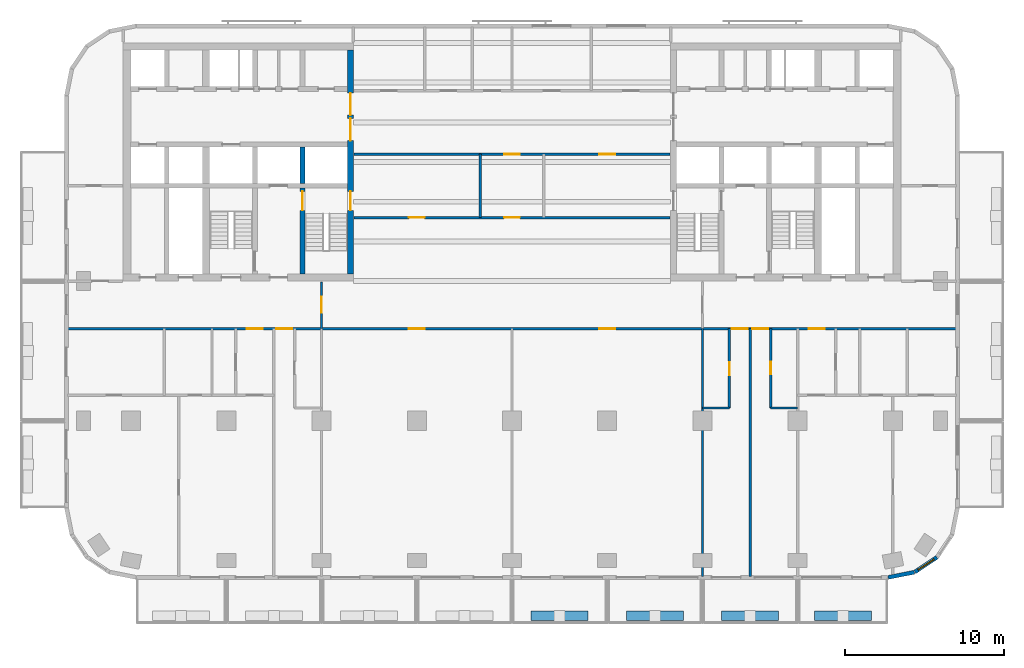
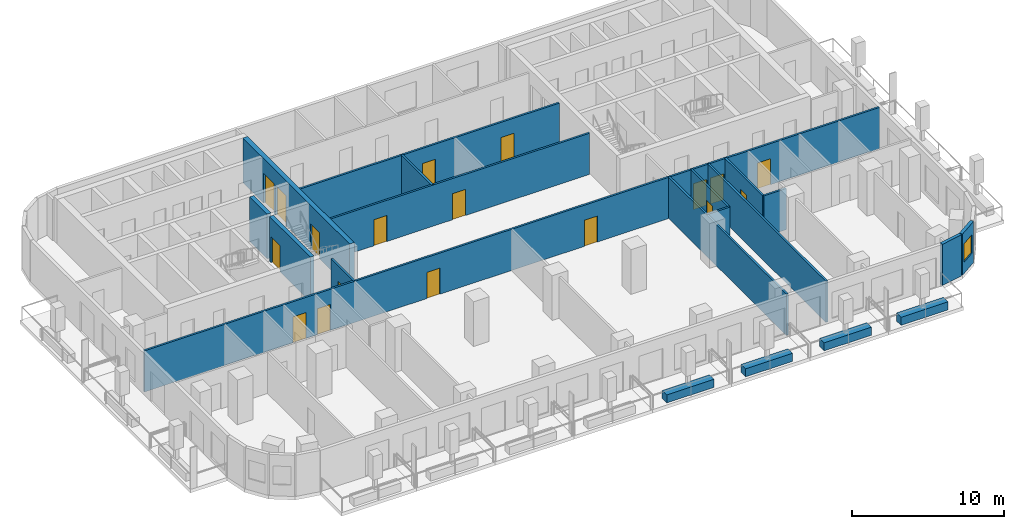
# One storey, part 4 of 11: 20 walls, 18 doors, 1 window, 19 openings.
"""IFC4 building model written with IfcOpenShell, lengths in metres."""

from ifc_helpers import new_model, si_unit, direction, frame, frame_2d, origin, place, context, subcontext, project, spatial, rectangle, extrude, material, layer, layer_set, type_object, element, fill, save


model = new_model("IFC4")

# Units and contexts
model_context = context("Model", 3, precision=1e-05, world=origin(), true_north=direction((0.0, 1.0)))
body_context = subcontext(model_context, "Body", "Model", "MODEL_VIEW")
ifc_project = project(units=[si_unit("LENGTHUNIT", "METRE"), si_unit("AREAUNIT", "SQUARE_METRE"), si_unit("VOLUMEUNIT", "CUBIC_METRE"), si_unit("PLANEANGLEUNIT", "RADIAN"), si_unit("MASSUNIT", "GRAM", prefix="KILO")], contexts=[model_context])

# Site, building, storey
site_placement = place(None, origin())
site = spatial("IfcSite", under=ifc_project, at=site_placement, CompositionType="ELEMENT")
building_placement = place(site_placement, origin())
building = spatial("IfcBuilding", under=site, at=building_placement, Name="Torana Hotel and Residences", CompositionType="ELEMENT")
storey_placement = place(building_placement, frame((0.0, 0.0, 123.60009765625)))
storey = spatial("IfcBuildingStorey", under=building, at=storey_placement, Name="L31", CompositionType="ELEMENT", Elevation=123.60009765625)

# Wall
ifc_material_1 = material(Name="Concrete C70/85", Category="concrete")
ifc_layer_1 = layer(ifc_material_1, 0.300048828125)
ifc_layer_set_1 = layer_set([ifc_layer_1], Name="CORE WALL 300 C70/85")
wall_type_1 = type_object("IfcWallType", Name="CORE WALL 300 C70/85", PredefinedType="SHEAR", material=ifc_layer_set_1)
wall_1_placement = place(storey_placement, frame((-13.199951171875, -8.85009765625, 0.0), z_axis=(0.0, 0.0, 1.0), x_axis=(0.0, 1.0, 0.0)))
element("IfcWall", 1, at=wall_1_placement, inside=storey, type_object=wall_type_1, Name="Core wall W x3.05-S", PredefinedType="SHEAR", context=body_context, shape_type="SweptSolid", body=[
    extrude(rectangle(XDim=2.300048828125, YDim=0.300048828125, at=frame_2d((1.14990234375, 0.0))), origin(), (0.0, 0.0, 1.0), 3.599853515625),
])

# Wall, opening, door
wall_2_placement = place(storey_placement, frame((-13.199951171875, -14.550048828125, 0.0), z_axis=(0.0, 0.0, 1.0), x_axis=(0.0, 1.0, 0.0)))
wall_2 = element("IfcWall", 2, at=wall_2_placement, inside=storey, type_object=wall_type_1, Name="Core wall W x3.05-band", PredefinedType="SHEAR", context=body_context, shape_type="SweptSolid", body=[
    extrude(rectangle(XDim=5.400146484375, YDim=0.300048828125, at=frame_2d((2.7001953125, 0.0))), origin(), (0.0, 0.0, 1.0), 3.599853515625),
])
opening_1_placement = place(wall_2_placement, frame((4.0, 0.0, 0.0)))
opening_1 = element("IfcOpeningElement", 3, at=opening_1_placement, cuts=wall_2, Name="Opening L31-14", PredefinedType="OPENING", context=body_context, shape_type="SweptSolid", body=[
    extrude(rectangle(XDim=1.199951171875, YDim=2.10009765625, at=frame_2d((0.60009765625, 1.050048828125))), frame((0.0, 0.159912109375, 0.0), z_axis=(0.0, -1.0, 0.0), x_axis=(1.0, 0.0, 0.0)), (0.0, 0.0, 1.0), 0.320068359375),
])
ifc_material_2 = material(Name="Steel S235", Category="steel")
door_type_1 = type_object("IfcDoorType", Name="STAIR FIRE DOOR D3 1200x2100", OperationType="SINGLE_SWING_LEFT", PredefinedType="DOOR", material=ifc_material_2)
door_1_placement = place(opening_1_placement, frame((0.60009765625, 0.0, 0.0), z_axis=(0.0, 0.0, 1.0), x_axis=(-1.0, 0.0, 0.0)))
door_1 = element("IfcDoor", 4, at=door_1_placement, inside=storey, type_object=door_type_1, Name="Stair-A-lobby door L31", OperationType="SINGLE_SWING_RIGHT", OverallHeight=2.10009765625, OverallWidth=1.199951171875, PredefinedType="DOOR", context=body_context, shape_type="SweptSolid", body=[
    extrude(rectangle(XDim=1.199951171875, YDim=2.10009765625, at=frame_2d((0.0, 1.050048828125))), frame((0.0, -0.02490234375, 0.0), z_axis=(0.0, 1.0, 0.0), x_axis=(-1.0, 0.0, 0.0)), (0.0, 0.0, 1.0), 0.050048828125),
])
fill(opening_1, door_1)

# Wall, openings, doors
ifc_material_3 = material(Name="Concrete C70/85", Category="concrete")
ifc_layer_2 = layer(ifc_material_3, 0.35009765625)
ifc_layer_set_2 = layer_set([ifc_layer_2], Name="CORE WALL 350 C70/85")
wall_type_2 = type_object("IfcWallType", Name="CORE WALL 350 C70/85", PredefinedType="SHEAR", material=ifc_layer_set_2)
wall_3_placement = place(storey_placement, frame((-10.175048828125, -14.550048828125, 0.0), z_axis=(0.0, 0.0, 1.0), x_axis=(0.0, 1.0, 0.0)))
wall_3 = element("IfcWall", 5, at=wall_3_placement, inside=storey, type_object=wall_type_2, Name="Core wall W arch", PredefinedType="SHEAR", context=body_context, shape_type="SweptSolid", body=[
    extrude(rectangle(XDim=14.10009765625, YDim=0.35009765625, at=frame_2d((7.050048828125, 0.0))), origin(), (0.0, 0.0, 1.0), 3.599853515625),
])
opening_2_placement = place(wall_3_placement, frame((8.39990234375, 0.0, 0.0)))
opening_2 = element("IfcOpeningElement", 6, at=opening_2_placement, cuts=wall_3, Name="Opening L31-01", PredefinedType="OPENING", context=body_context, shape_type="SweptSolid", body=[
    extrude(rectangle(XDim=1.39990234375, YDim=2.39990234375, at=frame_2d((0.699951171875, 1.199951171875))), frame((0.0, 0.18505859375, 0.0), z_axis=(0.0, -1.0, 0.0), x_axis=(1.0, 0.0, 0.0)), (0.0, 0.0, 1.0), 0.3701171875),
])
opening_3_placement = place(wall_3_placement, frame((10.0, 0.0, 0.0)))
opening_3 = element("IfcOpeningElement", 7, at=opening_3_placement, cuts=wall_3, Name="Opening L31-02", PredefinedType="OPENING", context=body_context, shape_type="SweptSolid", body=[
    extrude(rectangle(XDim=1.39990234375, YDim=2.39990234375, at=frame_2d((0.699951171875, 1.199951171875))), frame((0.0, 0.18505859375, 0.0), z_axis=(0.0, -1.0, 0.0), x_axis=(1.0, 0.0, 0.0)), (0.0, 0.0, 1.0), 0.3701171875),
])
opening_4_placement = place(wall_3_placement, frame((4.0, 0.0, 0.0)))
opening_4 = element("IfcOpeningElement", 8, at=opening_4_placement, cuts=wall_3, Name="Opening L31-03", PredefinedType="OPENING", context=body_context, shape_type="SweptSolid", body=[
    extrude(rectangle(XDim=1.199951171875, YDim=2.10009765625, at=frame_2d((0.60009765625, 1.050048828125))), frame((0.0, 0.18505859375, 0.0), z_axis=(0.0, -1.0, 0.0), x_axis=(1.0, 0.0, 0.0)), (0.0, 0.0, 1.0), 0.3701171875),
])
ifc_material_4 = material(Name="Steel S235", Category="steel")
door_type_2 = type_object("IfcDoorType", Name="LOBBY FIRE DOOR D4 1400x2400", OperationType="DOUBLE_DOOR_SINGLE_SWING", PredefinedType="DOOR", material=ifc_material_4)
door_2_placement = place(opening_2_placement, origin())
door_2 = element("IfcDoor", 9, at=door_2_placement, inside=storey, type_object=door_type_2, Name="Lobby-1 door L31", OperationType="DOUBLE_DOOR_SINGLE_SWING", OverallHeight=2.39990234375, OverallWidth=1.39990234375, PredefinedType="DOOR", context=body_context, shape_type="SweptSolid", body=[
    extrude(rectangle(XDim=1.39990234375, YDim=2.39990234375, at=frame_2d((0.699951171875, 1.199951171875))), frame((0.0, 0.02490234375, 0.0), z_axis=(0.0, -1.0, 0.0), x_axis=(1.0, 0.0, 0.0)), (0.0, 0.0, 1.0), 0.050048828125),
])
fill(opening_2, door_2)
door_3_placement = place(opening_3_placement, origin())
door_3 = element("IfcDoor", 10, at=door_3_placement, inside=storey, type_object=door_type_2, Name="Lobby-2 door L31", OperationType="DOUBLE_DOOR_SINGLE_SWING", OverallHeight=2.39990234375, OverallWidth=1.39990234375, PredefinedType="DOOR", context=body_context, shape_type="SweptSolid", body=[
    extrude(rectangle(XDim=1.39990234375, YDim=2.39990234375, at=frame_2d((0.699951171875, 1.199951171875))), frame((0.0, 0.02490234375, 0.0), z_axis=(0.0, -1.0, 0.0), x_axis=(1.0, 0.0, 0.0)), (0.0, 0.0, 1.0), 0.050048828125),
])
fill(opening_3, door_3)
door_4_placement = place(opening_4_placement, origin())
door_4 = element("IfcDoor", 11, at=door_4_placement, inside=storey, type_object=door_type_1, Name="Stair-A door L31", OperationType="SINGLE_SWING_LEFT", OverallHeight=2.10009765625, OverallWidth=1.199951171875, PredefinedType="DOOR", context=body_context, shape_type="SweptSolid", body=[
    extrude(rectangle(XDim=1.199951171875, YDim=2.10009765625, at=frame_2d((0.60009765625, 1.050048828125))), frame((0.0, 0.02490234375, 0.0), z_axis=(0.0, -1.0, 0.0), x_axis=(1.0, 0.0, 0.0)), (0.0, 0.0, 1.0), 0.050048828125),
])
fill(opening_4, door_4)

# Wall
ifc_material_5 = material(Name="Black aluminium composite panel", Category="aluminium")
ifc_layer_3 = layer(ifc_material_5, 0.00390625, Name="Cladding", Category="cladding")
ifc_material_6 = material(Name="Ventilated air cavity")
ifc_layer_4 = layer(ifc_material_6, 0.0400390625, Name="Ventilated cavity", Category="cavity")
ifc_material_7 = material(Name="Mineral wool insulation")
ifc_layer_5 = layer(ifc_material_7, 0.090087890625, Name="Insulation", Category="insulation")
ifc_material_8 = material(Name="Steel S280GD", Category="steel")
ifc_layer_6 = layer(ifc_material_8, 0.092041015625, Name="Steel stud frame", Category="structure")
ifc_material_9 = material(Name="Fire rated plasterboard")
ifc_layer_7 = layer(ifc_material_9, 0.011962890625, Name="Inner board", Category="finish")
ifc_layer_8 = layer(ifc_material_9, 0.011962890625, Name="Second board", Category="finish")
ifc_layer_set_3 = layer_set([ifc_layer_3, ifc_layer_4, ifc_layer_5, ifc_layer_6, ifc_layer_7, ifc_layer_8], Name="EW1 EXTERNAL WALL BLACK METAL CLAD 250")
wall_type_3 = type_object("IfcWallType", Name="EW1 EXTERNAL WALL BLACK METAL CLAD 250", PredefinedType="SOLIDWALL", material=ifc_layer_set_3)
wall_4_placement = place(storey_placement, frame((23.69970703125, -33.672607421875, 0.0), z_axis=(0.0, 0.0, 1.0), x_axis=(0.980775640221, 0.19513878023, 0.0)))
element("IfcWall", 12, at=wall_4_placement, inside=storey, type_object=wall_type_3, Name="External wall L31 e0.15", PredefinedType="SOLIDWALL", context=body_context, shape_type="SweptSolid", body=[
    extrude(rectangle(XDim=1.681396484375, YDim=0.25, at=frame_2d((0.8408203125, 0.0))), origin(), (0.0, 0.0, 1.0), 3.31982421875),
])

# Wall, opening, window
wall_5_placement = place(storey_placement, frame((25.39404296875, -33.325927734375, 0.0), z_axis=(0.0, 0.0, 1.0), x_axis=(0.831482937015, 0.55555029066, 0.0)))
wall_5 = element("IfcWall", 13, at=wall_5_placement, inside=storey, type_object=wall_type_3, Name="External wall L31 e0.16", PredefinedType="SOLIDWALL", context=body_context, shape_type="SweptSolid", body=[
    extrude(rectangle(XDim=1.65625, YDim=0.25, at=frame_2d((0.828125, 0.0))), origin(), (0.0, 0.0, 1.0), 3.31982421875),
])
opening_5_placement = place(wall_5_placement, frame((0.228271484375, 0.0, 0.89990234375)))
opening_5 = element("IfcOpeningElement", 14, at=opening_5_placement, cuts=wall_5, Name="Opening W5", PredefinedType="OPENING", context=body_context, shape_type="SweptSolid", body=[
    extrude(rectangle(XDim=1.199951171875, YDim=1.5, at=frame_2d((0.60009765625, 0.75))), frame((0.0, 0.135009765625, 0.0), z_axis=(0.0, -1.0, 0.0), x_axis=(1.0, 0.0, 0.0)), (0.0, 0.0, 1.0), 0.27001953125),
])
ifc_material_10 = material(Name="Dark glass in black aluminium frame", Category="aluminium")
window_type = type_object("IfcWindowType", Name="W5 CORNER FACET WINDOW 1200x1500", PartitioningType="SINGLE_PANEL", PredefinedType="WINDOW", material=ifc_material_10)
window_placement = place(opening_5_placement, origin())
window = element("IfcWindow", 15, at=window_placement, inside=storey, type_object=window_type, Name="Window L31 e0.16", OverallHeight=1.5, OverallWidth=1.199951171875, PartitioningType="SINGLE_PANEL", PredefinedType="WINDOW", context=body_context, shape_type="SweptSolid", body=[
    extrude(rectangle(XDim=1.199951171875, YDim=1.5, at=frame_2d((0.60009765625, 0.75))), frame((0.0, 0.030029296875, 0.0), z_axis=(0.0, -1.0, 0.0), x_axis=(1.0, 0.0, 0.0)), (0.0, 0.0, 1.0), 0.06005859375),
])
fill(opening_5, window)

# Wall
ifc_material_11 = material(Name="Gypsum plaster")
ifc_layer_9 = layer(ifc_material_11, 0.014892578125, Name="Plaster", Category="finish")
ifc_material_12 = material(Name="Concrete blockwork", Category="masonry")
ifc_layer_10 = layer(ifc_material_12, 0.1201171875, Name="Blockwork", Category="structure")
ifc_layer_11 = layer(ifc_material_11, 0.014892578125, Name="Plaster", Category="finish")
ifc_layer_set_4 = layer_set([ifc_layer_9, ifc_layer_10, ifc_layer_11], Name="FIRE PARTITION 150 BLOCKWORK")
wall_type_4 = type_object("IfcWallType", Name="FIRE PARTITION 150 BLOCKWORK", PredefinedType="PARTITIONING", material=ifc_layer_set_4)
wall_6_placement = place(storey_placement, frame((-2.0, -11.0, 0.0), z_axis=(0.0, 0.0, 1.0), x_axis=(0.0, 1.0, 0.0)))
element("IfcWall", 16, at=wall_6_placement, inside=storey, type_object=wall_type_4, Name="Partition L31", PredefinedType="PARTITIONING", context=body_context, shape_type="SweptSolid", body=[
    extrude(rectangle(XDim=4.0, YDim=0.14990234375, at=frame_2d((2.0, 0.0))), origin(), (0.0, 0.0, 1.0), 3.31982421875),
])

# Wall, opening, door
wall_7_placement = place(storey_placement, frame((-12.0, -18.0, 0.0), z_axis=(0.0, 0.0, 1.0), x_axis=(0.0, 1.0, 0.0)))
wall_7 = element("IfcWall", 17, at=wall_7_placement, inside=storey, type_object=wall_type_4, Name="Partition L31", PredefinedType="PARTITIONING", context=body_context, shape_type="SweptSolid", body=[
    extrude(rectangle(XDim=2.949951171875, YDim=0.14990234375, at=frame_2d((1.47509765625, 0.0))), origin(), (0.0, 0.0, 1.0), 3.31982421875),
])
opening_6_placement = place(wall_7_placement, frame((1.0, 0.0, 0.0)))
opening_6 = element("IfcOpeningElement", 18, at=opening_6_placement, cuts=wall_7, Name="Opening L31-31", PredefinedType="OPENING", context=body_context, shape_type="SweptSolid", body=[
    extrude(rectangle(XDim=1.0, YDim=2.10009765625, at=frame_2d((0.5, 1.050048828125))), frame((0.0, 0.0849609375, 0.0), z_axis=(0.0, -1.0, 0.0), x_axis=(1.0, 0.0, 0.0)), (0.0, 0.0, 1.0), 0.169921875),
])
ifc_material_13 = material(Name="Steel S235", Category="steel")
door_type_3 = type_object("IfcDoorType", Name="ENTRY FIRE DOOR D6 1000x2100", OperationType="SINGLE_SWING_LEFT", PredefinedType="DOOR", material=ifc_material_13)
door_5_placement = place(opening_6_placement, origin())
door_5 = element("IfcDoor", 19, at=door_5_placement, inside=storey, type_object=door_type_3, Name="Door L31", OperationType="SINGLE_SWING_RIGHT", OverallHeight=2.10009765625, OverallWidth=1.0, PredefinedType="DOOR", context=body_context, shape_type="SweptSolid", body=[
    extrude(rectangle(XDim=1.0, YDim=2.10009765625, at=frame_2d((0.5, 1.050048828125))), frame((0.0, 0.02490234375, 0.0), z_axis=(0.0, -1.0, 0.0), x_axis=(1.0, 0.0, 0.0)), (0.0, 0.0, 1.0), 0.050048828125),
])
fill(opening_6, door_5)

# Wall, openings, doors
wall_8_placement = place(storey_placement, frame((-28.02001953125, -18.0, 0.0), z_axis=(0.0, 0.0, 1.0), x_axis=(1.0, 0.0, 0.0)))
wall_8 = element("IfcWall", 20, at=wall_8_placement, inside=storey, type_object=wall_type_4, Name="Partition L31", PredefinedType="PARTITIONING", context=body_context, shape_type="SweptSolid", body=[
    extrude(rectangle(XDim=56.0400390625, YDim=0.14990234375, at=frame_2d((28.02001953125, 0.0))), origin(), (0.0, 0.0, 1.0), 3.31982421875),
])
opening_7_placement = place(wall_8_placement, frame((13.169921875, 0.0, 0.0)))
opening_7 = element("IfcOpeningElement", 21, at=opening_7_placement, cuts=wall_8, Name="Opening L31-32", PredefinedType="OPENING", context=body_context, shape_type="SweptSolid", body=[
    extrude(rectangle(XDim=1.0, YDim=2.10009765625, at=frame_2d((0.5, 1.050048828125))), frame((0.0, 0.0849609375, 0.0), z_axis=(0.0, -1.0, 0.0), x_axis=(1.0, 0.0, 0.0)), (0.0, 0.0, 1.0), 0.169921875),
])
opening_8_placement = place(wall_8_placement, frame((11.320068359375, 0.0, 0.0)))
opening_8 = element("IfcOpeningElement", 22, at=opening_8_placement, cuts=wall_8, Name="Opening L31-33", PredefinedType="OPENING", context=body_context, shape_type="SweptSolid", body=[
    extrude(rectangle(XDim=1.0, YDim=2.10009765625, at=frame_2d((0.5, 1.050048828125))), frame((0.0, 0.0849609375, 0.0), z_axis=(0.0, -1.0, 0.0), x_axis=(1.0, 0.0, 0.0)), (0.0, 0.0, 1.0), 0.169921875),
])
opening_9_placement = place(wall_8_placement, frame((41.8701171875, 0.0, 0.0)))
opening_9 = element("IfcOpeningElement", 23, at=opening_9_placement, cuts=wall_8, Name="Opening L31-36", PredefinedType="OPENING", context=body_context, shape_type="SweptSolid", body=[
    extrude(rectangle(XDim=1.0, YDim=2.10009765625, at=frame_2d((0.5, 1.050048828125))), frame((0.0, 0.0849609375, 0.0), z_axis=(0.0, -1.0, 0.0), x_axis=(1.0, 0.0, 0.0)), (0.0, 0.0, 1.0), 0.169921875),
])
opening_10_placement = place(wall_8_placement, frame((43.169921875, 0.0, 0.0)))
opening_10 = element("IfcOpeningElement", 24, at=opening_10_placement, cuts=wall_8, Name="Opening L31-37", PredefinedType="OPENING", context=body_context, shape_type="SweptSolid", body=[
    extrude(rectangle(XDim=1.0, YDim=2.10009765625, at=frame_2d((0.5, 1.050048828125))), frame((0.0, 0.0849609375, 0.0), z_axis=(0.0, -1.0, 0.0), x_axis=(1.0, 0.0, 0.0)), (0.0, 0.0, 1.0), 0.169921875),
])
opening_11_placement = place(wall_8_placement, frame((46.719970703125, 0.0, 0.0)))
opening_11 = element("IfcOpeningElement", 25, at=opening_11_placement, cuts=wall_8, Name="Opening L31-38", PredefinedType="OPENING", context=body_context, shape_type="SweptSolid", body=[
    extrude(rectangle(XDim=1.0, YDim=2.10009765625, at=frame_2d((0.5, 1.050048828125))), frame((0.0, 0.0849609375, 0.0), z_axis=(0.0, -1.0, 0.0), x_axis=(1.0, 0.0, 0.0)), (0.0, 0.0, 1.0), 0.169921875),
])
opening_12_placement = place(wall_8_placement, frame((21.52001953125, 0.0, 0.0)))
opening_12 = element("IfcOpeningElement", 26, at=opening_12_placement, cuts=wall_8, Name="Opening L31-41", PredefinedType="OPENING", context=body_context, shape_type="SweptSolid", body=[
    extrude(rectangle(XDim=1.0, YDim=2.10009765625, at=frame_2d((0.5, 1.050048828125))), frame((0.0, 0.0849609375, 0.0), z_axis=(0.0, -1.0, 0.0), x_axis=(1.0, 0.0, 0.0)), (0.0, 0.0, 1.0), 0.169921875),
])
opening_13_placement = place(wall_8_placement, frame((33.52001953125, 0.0, 0.0)))
opening_13 = element("IfcOpeningElement", 27, at=opening_13_placement, cuts=wall_8, Name="Opening L31-42", PredefinedType="OPENING", context=body_context, shape_type="SweptSolid", body=[
    extrude(rectangle(XDim=1.0, YDim=2.10009765625, at=frame_2d((0.5, 1.050048828125))), frame((0.0, 0.0849609375, 0.0), z_axis=(0.0, -1.0, 0.0), x_axis=(1.0, 0.0, 0.0)), (0.0, 0.0, 1.0), 0.169921875),
])
door_6_placement = place(opening_7_placement, frame((0.5, 0.0, 0.0), z_axis=(0.0, 0.0, 1.0), x_axis=(-1.0, 0.0, 0.0)))
door_6 = element("IfcDoor", 28, at=door_6_placement, inside=storey, type_object=door_type_3, Name="Door L31", OperationType="SINGLE_SWING_LEFT", OverallHeight=2.10009765625, OverallWidth=1.0, PredefinedType="DOOR", context=body_context, shape_type="SweptSolid", body=[
    extrude(rectangle(XDim=1.0, YDim=2.10009765625, at=frame_2d((0.0, 1.050048828125))), frame((0.0, -0.02490234375, 0.0), z_axis=(0.0, 1.0, 0.0), x_axis=(-1.0, 0.0, 0.0)), (0.0, 0.0, 1.0), 0.050048828125),
])
fill(opening_7, door_6)
door_7_placement = place(opening_8_placement, origin())
door_7 = element("IfcDoor", 29, at=door_7_placement, inside=storey, type_object=door_type_3, Name="Door L31", OperationType="SINGLE_SWING_RIGHT", OverallHeight=2.10009765625, OverallWidth=1.0, PredefinedType="DOOR", context=body_context, shape_type="SweptSolid", body=[
    extrude(rectangle(XDim=1.0, YDim=2.10009765625, at=frame_2d((0.5, 1.050048828125))), frame((0.0, 0.02490234375, 0.0), z_axis=(0.0, -1.0, 0.0), x_axis=(1.0, 0.0, 0.0)), (0.0, 0.0, 1.0), 0.050048828125),
])
fill(opening_8, door_7)
door_8_placement = place(opening_9_placement, frame((0.5, 0.0, 0.0), z_axis=(0.0, 0.0, 1.0), x_axis=(-1.0, 0.0, 0.0)))
door_8 = element("IfcDoor", 30, at=door_8_placement, inside=storey, type_object=door_type_3, Name="Door L31", OperationType="SINGLE_SWING_LEFT", OverallHeight=2.10009765625, OverallWidth=1.0, PredefinedType="DOOR", context=body_context, shape_type="SweptSolid", body=[
    extrude(rectangle(XDim=1.0, YDim=2.10009765625, at=frame_2d((0.0, 1.050048828125))), frame((0.0, -0.02490234375, 0.0), z_axis=(0.0, 1.0, 0.0), x_axis=(-1.0, 0.0, 0.0)), (0.0, 0.0, 1.0), 0.050048828125),
])
fill(opening_9, door_8)
door_9_placement = place(opening_10_placement, frame((0.5, 0.0, 0.0), z_axis=(0.0, 0.0, 1.0), x_axis=(-1.0, 0.0, 0.0)))
door_9 = element("IfcDoor", 31, at=door_9_placement, inside=storey, type_object=door_type_3, Name="Door L31", OperationType="SINGLE_SWING_LEFT", OverallHeight=2.10009765625, OverallWidth=1.0, PredefinedType="DOOR", context=body_context, shape_type="SweptSolid", body=[
    extrude(rectangle(XDim=1.0, YDim=2.10009765625, at=frame_2d((0.0, 1.050048828125))), frame((0.0, -0.02490234375, 0.0), z_axis=(0.0, 1.0, 0.0), x_axis=(-1.0, 0.0, 0.0)), (0.0, 0.0, 1.0), 0.050048828125),
])
fill(opening_10, door_9)
door_10_placement = place(opening_11_placement, origin())
door_10 = element("IfcDoor", 32, at=door_10_placement, inside=storey, type_object=door_type_3, Name="Door L31", OperationType="SINGLE_SWING_RIGHT", OverallHeight=2.10009765625, OverallWidth=1.0, PredefinedType="DOOR", context=body_context, shape_type="SweptSolid", body=[
    extrude(rectangle(XDim=1.0, YDim=2.10009765625, at=frame_2d((0.5, 1.050048828125))), frame((0.0, 0.02490234375, 0.0), z_axis=(0.0, -1.0, 0.0), x_axis=(1.0, 0.0, 0.0)), (0.0, 0.0, 1.0), 0.050048828125),
])
fill(opening_11, door_10)
door_11_placement = place(opening_12_placement, frame((0.5, 0.0, 0.0), z_axis=(0.0, 0.0, 1.0), x_axis=(-1.0, 0.0, 0.0)))
door_11 = element("IfcDoor", 33, at=door_11_placement, inside=storey, type_object=door_type_3, Name="Door L31", OperationType="SINGLE_SWING_LEFT", OverallHeight=2.10009765625, OverallWidth=1.0, PredefinedType="DOOR", context=body_context, shape_type="SweptSolid", body=[
    extrude(rectangle(XDim=1.0, YDim=2.10009765625, at=frame_2d((0.0, 1.050048828125))), frame((0.0, -0.02490234375, 0.0), z_axis=(0.0, 1.0, 0.0), x_axis=(-1.0, 0.0, 0.0)), (0.0, 0.0, 1.0), 0.050048828125),
])
fill(opening_12, door_11)
door_12_placement = place(opening_13_placement, frame((0.5, 0.0, 0.0), z_axis=(0.0, 0.0, 1.0), x_axis=(-1.0, 0.0, 0.0)))
door_12 = element("IfcDoor", 34, at=door_12_placement, inside=storey, type_object=door_type_3, Name="Door L31", OperationType="SINGLE_SWING_LEFT", OverallHeight=2.10009765625, OverallWidth=1.0, PredefinedType="DOOR", context=body_context, shape_type="SweptSolid", body=[
    extrude(rectangle(XDim=1.0, YDim=2.10009765625, at=frame_2d((0.0, 1.050048828125))), frame((0.0, -0.02490234375, 0.0), z_axis=(0.0, 1.0, 0.0), x_axis=(-1.0, 0.0, 0.0)), (0.0, 0.0, 1.0), 0.050048828125),
])
fill(opening_13, door_12)

wall_9_placement = place(storey_placement, frame((-9.949951171875, -11.0, 0.0), z_axis=(0.0, 0.0, 1.0), x_axis=(1.0, 0.0, 0.0)))
wall_9 = element("IfcWall", 35, at=wall_9_placement, inside=storey, type_object=wall_type_4, Name="Partition L31", PredefinedType="PARTITIONING", context=body_context, shape_type="SweptSolid", body=[
    extrude(rectangle(XDim=19.89990234375, YDim=0.14990234375, at=frame_2d((9.949951171875, 0.0))), origin(), (0.0, 0.0, 1.0), 3.31982421875),
])
opening_14_placement = place(wall_9_placement, frame((9.449951171875, 0.0, 0.0)))
opening_14 = element("IfcOpeningElement", 36, at=opening_14_placement, cuts=wall_9, Name="Opening L31-40", PredefinedType="OPENING", context=body_context, shape_type="SweptSolid", body=[
    extrude(rectangle(XDim=1.0, YDim=2.10009765625, at=frame_2d((0.5, 1.050048828125))), frame((0.0, 0.0849609375, 0.0), z_axis=(0.0, -1.0, 0.0), x_axis=(1.0, 0.0, 0.0)), (0.0, 0.0, 1.0), 0.169921875),
])
opening_15_placement = place(wall_9_placement, frame((3.449951171875, 0.0, 0.0)))
opening_15 = element("IfcOpeningElement", 37, at=opening_15_placement, cuts=wall_9, Name="Opening L31-43", PredefinedType="OPENING", context=body_context, shape_type="SweptSolid", body=[
    extrude(rectangle(XDim=1.0, YDim=2.10009765625, at=frame_2d((0.5, 1.050048828125))), frame((0.0, 0.0849609375, 0.0), z_axis=(0.0, -1.0, 0.0), x_axis=(1.0, 0.0, 0.0)), (0.0, 0.0, 1.0), 0.169921875),
])
door_13_placement = place(opening_14_placement, origin())
door_13 = element("IfcDoor", 38, at=door_13_placement, inside=storey, type_object=door_type_3, Name="Door L31", OperationType="SINGLE_SWING_RIGHT", OverallHeight=2.10009765625, OverallWidth=1.0, PredefinedType="DOOR", context=body_context, shape_type="SweptSolid", body=[
    extrude(rectangle(XDim=1.0, YDim=2.10009765625, at=frame_2d((0.5, 1.050048828125))), frame((0.0, 0.02490234375, 0.0), z_axis=(0.0, -1.0, 0.0), x_axis=(1.0, 0.0, 0.0)), (0.0, 0.0, 1.0), 0.050048828125),
])
fill(opening_14, door_13)
door_14_placement = place(opening_15_placement, origin())
door_14 = element("IfcDoor", 39, at=door_14_placement, inside=storey, type_object=door_type_3, Name="Door L31", OperationType="SINGLE_SWING_RIGHT", OverallHeight=2.10009765625, OverallWidth=1.0, PredefinedType="DOOR", context=body_context, shape_type="SweptSolid", body=[
    extrude(rectangle(XDim=1.0, YDim=2.10009765625, at=frame_2d((0.5, 1.050048828125))), frame((0.0, 0.02490234375, 0.0), z_axis=(0.0, -1.0, 0.0), x_axis=(1.0, 0.0, 0.0)), (0.0, 0.0, 1.0), 0.050048828125),
])
fill(opening_15, door_14)

wall_10_placement = place(storey_placement, frame((-9.949951171875, -7.0, 0.0), z_axis=(0.0, 0.0, 1.0), x_axis=(1.0, 0.0, 0.0)))
wall_10 = element("IfcWall", 40, at=wall_10_placement, inside=storey, type_object=wall_type_4, Name="Partition L31", PredefinedType="PARTITIONING", context=body_context, shape_type="SweptSolid", body=[
    extrude(rectangle(XDim=19.89990234375, YDim=0.14990234375, at=frame_2d((9.949951171875, 0.0))), origin(), (0.0, 0.0, 1.0), 3.31982421875),
])
opening_16_placement = place(wall_10_placement, frame((9.449951171875, 0.0, 0.0)))
opening_16 = element("IfcOpeningElement", 41, at=opening_16_placement, cuts=wall_10, Name="Opening L31-44", PredefinedType="OPENING", context=body_context, shape_type="SweptSolid", body=[
    extrude(rectangle(XDim=1.0, YDim=2.10009765625, at=frame_2d((0.5, 1.050048828125))), frame((0.0, 0.0849609375, 0.0), z_axis=(0.0, -1.0, 0.0), x_axis=(1.0, 0.0, 0.0)), (0.0, 0.0, 1.0), 0.169921875),
])
opening_17_placement = place(wall_10_placement, frame((15.449951171875, 0.0, 0.0)))
opening_17 = element("IfcOpeningElement", 42, at=opening_17_placement, cuts=wall_10, Name="Opening L31-45", PredefinedType="OPENING", context=body_context, shape_type="SweptSolid", body=[
    extrude(rectangle(XDim=1.0, YDim=2.10009765625, at=frame_2d((0.5, 1.050048828125))), frame((0.0, 0.0849609375, 0.0), z_axis=(0.0, -1.0, 0.0), x_axis=(1.0, 0.0, 0.0)), (0.0, 0.0, 1.0), 0.169921875),
])
door_15_placement = place(opening_16_placement, origin())
door_15 = element("IfcDoor", 43, at=door_15_placement, inside=storey, type_object=door_type_3, Name="Door L31", OperationType="SINGLE_SWING_RIGHT", OverallHeight=2.10009765625, OverallWidth=1.0, PredefinedType="DOOR", context=body_context, shape_type="SweptSolid", body=[
    extrude(rectangle(XDim=1.0, YDim=2.10009765625, at=frame_2d((0.5, 1.050048828125))), frame((0.0, 0.02490234375, 0.0), z_axis=(0.0, -1.0, 0.0), x_axis=(1.0, 0.0, 0.0)), (0.0, 0.0, 1.0), 0.050048828125),
])
fill(opening_16, door_15)
door_16_placement = place(opening_17_placement, frame((0.5, 0.0, 0.0), z_axis=(0.0, 0.0, 1.0), x_axis=(-1.0, 0.0, 0.0)))
door_16 = element("IfcDoor", 44, at=door_16_placement, inside=storey, type_object=door_type_3, Name="Door L31", OperationType="SINGLE_SWING_LEFT", OverallHeight=2.10009765625, OverallWidth=1.0, PredefinedType="DOOR", context=body_context, shape_type="SweptSolid", body=[
    extrude(rectangle(XDim=1.0, YDim=2.10009765625, at=frame_2d((0.0, 1.050048828125))), frame((0.0, -0.02490234375, 0.0), z_axis=(0.0, 1.0, 0.0), x_axis=(-1.0, 0.0, 0.0)), (0.0, 0.0, 1.0), 0.050048828125),
])
fill(opening_17, door_16)

# Wall, opening, door
ifc_material_14 = material(Name="Gypsum plasterboard")
ifc_layer_12 = layer(ifc_material_14, 0.012451171875, Name="Plasterboard", Category="finish")
ifc_layer_13 = layer(ifc_material_14, 0.012451171875, Name="Plasterboard", Category="finish")
ifc_layer_14 = layer(ifc_material_8, 0.10009765625, Name="Steel studs with mineral wool", Category="insulation")
ifc_layer_15 = layer(ifc_material_14, 0.012451171875, Name="Plasterboard", Category="finish")
ifc_layer_16 = layer(ifc_material_14, 0.012451171875, Name="Plasterboard", Category="finish")
ifc_layer_set_5 = layer_set([ifc_layer_12, ifc_layer_13, ifc_layer_14, ifc_layer_15, ifc_layer_16], Name="PARTITION 150 PLASTERBOARD")
wall_type_5 = type_object("IfcWallType", Name="PARTITION 150 PLASTERBOARD", PredefinedType="PARTITIONING", material=ifc_layer_set_5)
wall_11_placement = place(storey_placement, frame((16.300048828125, -23.0, 0.0), z_axis=(0.0, 0.0, 1.0), x_axis=(0.0, 1.0, 0.0)))
wall_11 = element("IfcWall", 45, at=wall_11_placement, inside=storey, type_object=wall_type_5, Name="Partition L31", PredefinedType="PARTITIONING", context=body_context, shape_type="SweptSolid", body=[
    extrude(rectangle(XDim=5.0, YDim=0.14990234375, at=frame_2d((2.5, 0.0))), origin(), (0.0, 0.0, 1.0), 3.31982421875),
])
opening_18_placement = place(wall_11_placement, frame((2.1201171875, 0.0, 0.0)))
opening_18 = element("IfcOpeningElement", 46, at=opening_18_placement, cuts=wall_11, Name="Opening L31-53", PredefinedType="OPENING", context=body_context, shape_type="SweptSolid", body=[
    extrude(rectangle(XDim=0.800048828125, YDim=2.10009765625, at=frame_2d((0.39990234375, 1.050048828125))), frame((0.0, 0.0849609375, 0.0), z_axis=(0.0, -1.0, 0.0), x_axis=(1.0, 0.0, 0.0)), (0.0, 0.0, 1.0), 0.169921875),
])
ifc_material_15 = material(Name="Timber door, painted", Category="wood")
door_type_4 = type_object("IfcDoorType", Name="BATH DOOR D13 800x2100", OperationType="SINGLE_SWING_LEFT", PredefinedType="DOOR", material=ifc_material_15)
door_17_placement = place(opening_18_placement, origin())
door_17 = element("IfcDoor", 47, at=door_17_placement, inside=storey, type_object=door_type_4, Name="Door L31", OperationType="SINGLE_SWING_RIGHT", OverallHeight=2.10009765625, OverallWidth=0.800048828125, PredefinedType="DOOR", context=body_context, shape_type="SweptSolid", body=[
    extrude(rectangle(XDim=0.800048828125, YDim=2.10009765625, at=frame_2d((0.39990234375, 1.050048828125))), frame((0.0, 0.02490234375, 0.0), z_axis=(0.0, -1.0, 0.0), x_axis=(1.0, 0.0, 0.0)), (0.0, 0.0, 1.0), 0.050048828125),
])
fill(opening_18, door_17)

# Wall
wall_12_placement = place(storey_placement, frame((15.0, -33.6201171875, 0.0), z_axis=(0.0, 0.0, 1.0), x_axis=(0.0, 1.0, 0.0)))
element("IfcWall", 48, at=wall_12_placement, inside=storey, type_object=wall_type_5, Name="Partition L31", PredefinedType="PARTITIONING", context=body_context, shape_type="SweptSolid", body=[
    extrude(rectangle(XDim=15.6201171875, YDim=0.14990234375, at=frame_2d((7.81005859375, 0.0))), origin(), (0.0, 0.0, 1.0), 3.31982421875),
])

# Wall, opening, door
wall_13_placement = place(storey_placement, frame((13.699951171875, -23.0, 0.0), z_axis=(0.0, 0.0, 1.0), x_axis=(0.0, 1.0, 0.0)))
wall_13 = element("IfcWall", 49, at=wall_13_placement, inside=storey, type_object=wall_type_5, Name="Partition L31", PredefinedType="PARTITIONING", context=body_context, shape_type="SweptSolid", body=[
    extrude(rectangle(XDim=5.0, YDim=0.14990234375, at=frame_2d((2.5, 0.0))), origin(), (0.0, 0.0, 1.0), 3.31982421875),
])
opening_19_placement = place(wall_13_placement, frame((2.080078125, 0.0, 0.0)))
opening_19 = element("IfcOpeningElement", 50, at=opening_19_placement, cuts=wall_13, Name="Opening L31-52", PredefinedType="OPENING", context=body_context, shape_type="SweptSolid", body=[
    extrude(rectangle(XDim=0.800048828125, YDim=2.10009765625, at=frame_2d((0.39990234375, 1.050048828125))), frame((0.0, 0.0849609375, 0.0), z_axis=(0.0, -1.0, 0.0), x_axis=(1.0, 0.0, 0.0)), (0.0, 0.0, 1.0), 0.169921875),
])
door_18_placement = place(opening_19_placement, origin())
door_18 = element("IfcDoor", 51, at=door_18_placement, inside=storey, type_object=door_type_4, Name="Door L31", OperationType="SINGLE_SWING_RIGHT", OverallHeight=2.10009765625, OverallWidth=0.800048828125, PredefinedType="DOOR", context=body_context, shape_type="SweptSolid", body=[
    extrude(rectangle(XDim=0.800048828125, YDim=2.10009765625, at=frame_2d((0.39990234375, 1.050048828125))), frame((0.0, 0.02490234375, 0.0), z_axis=(0.0, -1.0, 0.0), x_axis=(1.0, 0.0, 0.0)), (0.0, 0.0, 1.0), 0.050048828125),
])
fill(opening_19, door_18)

# Walls
wall_14_placement = place(storey_placement, frame((12.0, -33.6201171875, 0.0), z_axis=(0.0, 0.0, 1.0), x_axis=(0.0, 1.0, 0.0)))
element("IfcWall", 52, at=wall_14_placement, inside=storey, type_object=wall_type_5, Name="Partition L31", PredefinedType="PARTITIONING", context=body_context, shape_type="SweptSolid", body=[
    extrude(rectangle(XDim=15.6201171875, YDim=0.14990234375, at=frame_2d((7.81005859375, 0.0))), origin(), (0.0, 0.0, 1.0), 3.31982421875),
])
for number, where, z_axis, x_axis, name in (
    (53, (12.0, -23.0, 0.0), (0.0, 0.0, 1.0), (1.0, 0.0, 0.0), "Partition L31"),
    (54, (16.300048828125, -23.0, 0.0), (0.0, 0.0, 1.0), (1.0, 0.0, 0.0), "Partition L31"),
):
    element("IfcWall", number, at=place(storey_placement, frame(where, z_axis=z_axis, x_axis=x_axis)), inside=storey, type_object=wall_type_5, Name=name, PredefinedType="PARTITIONING", context=body_context, shape_type="SweptSolid", body=[
        extrude(rectangle(XDim=1.699951171875, YDim=0.14990234375, at=frame_2d((0.85009765625, 0.0))), origin(), (0.0, 0.0, 1.0), 3.31982421875),
    ])
ifc_material_16 = material(Name="Concrete C40/50 precast", Category="concrete")
ifc_layer_17 = layer(ifc_material_16, 0.10009765625, Name="Planter shell", Category="structure")
ifc_material_17 = material(Name="Root resistant membrane")
ifc_layer_18 = layer(ifc_material_17, 0.00390625, Name="Waterproofing membrane", Category="membrane")
ifc_material_18 = material(Name="Drainage board with filter fleece")
ifc_layer_19 = layer(ifc_material_18, 0.02001953125, Name="Drainage board", Category="drainage")
ifc_material_19 = material(Name="Growing medium")
ifc_layer_20 = layer(ifc_material_19, 0.47607421875, Name="Planting substrate", Category="soil")
ifc_layer_set_6 = layer_set([ifc_layer_17, ifc_layer_18, ifc_layer_19, ifc_layer_20], Name="PL1 BALCONY PLANTER 600")
wall_type_6 = type_object("IfcWallType", Name="PL1 BALCONY PLANTER 600", PredefinedType="USERDEFINED", material=ifc_layer_set_6)
for number, where, z_axis, x_axis, name in (
    (55, (4.800048828125, -36.10009765625, 0.0), (0.0, 0.0, 1.0), (-1.0, 0.0, 0.0), "Planter 05"),
    (56, (10.800048828125, -36.10009765625, 0.0), (0.0, 0.0, 1.0), (-1.0, 0.0, 0.0), "Planter 06"),
    (57, (16.800048828125, -36.10009765625, 0.0), (0.0, 0.0, 1.0), (-1.0, 0.0, 0.0), "Planter 07"),
):
    element("IfcWall", number, at=place(storey_placement, frame(where, z_axis=z_axis, x_axis=x_axis)), inside=storey, type_object=wall_type_6, Name=name, ObjectType="PLANTER", PredefinedType="USERDEFINED", context=body_context, shape_type="SweptSolid", body=[
        extrude(rectangle(XDim=3.60009765625, YDim=0.60009765625, at=frame_2d((1.800048828125, 0.0))), origin(), (0.0, 0.0, 1.0), 0.64990234375),
    ])
wall_15_placement = place(storey_placement, frame((22.64990234375, -36.10009765625, 0.0), z_axis=(0.0, 0.0, 1.0), x_axis=(-1.0, 0.0, 0.0)))
element("IfcWall", 58, at=wall_15_placement, inside=storey, type_object=wall_type_6, Name="Planter 08", ObjectType="PLANTER", PredefinedType="USERDEFINED", context=body_context, shape_type="SweptSolid", body=[
    extrude(rectangle(XDim=3.599853515625, YDim=0.60009765625, at=frame_2d((1.7998046875, 0.0))), origin(), (0.0, 0.0, 1.0), 0.64990234375),
])

save(model, "model.ifc")
